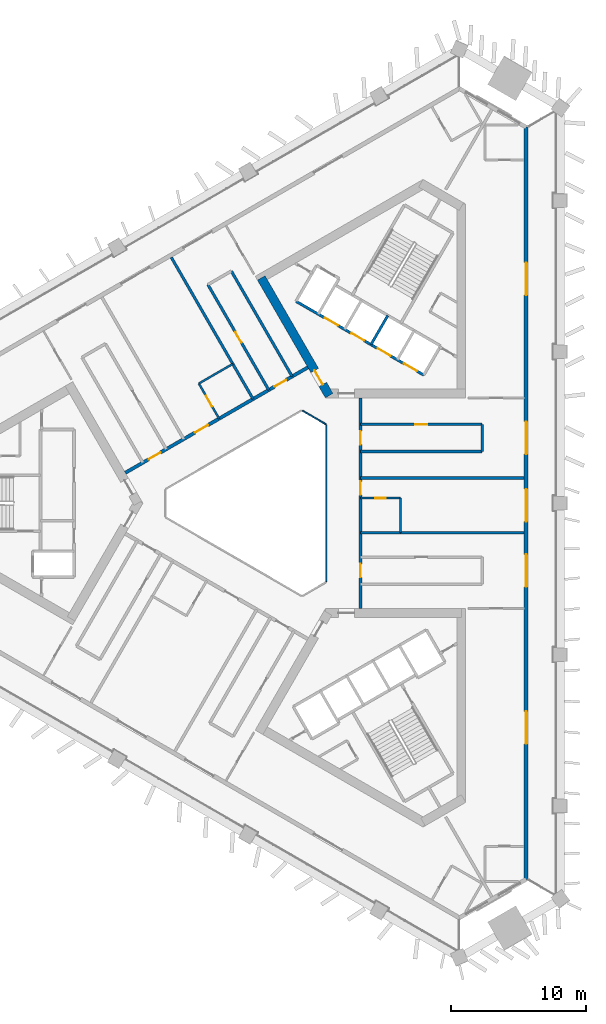
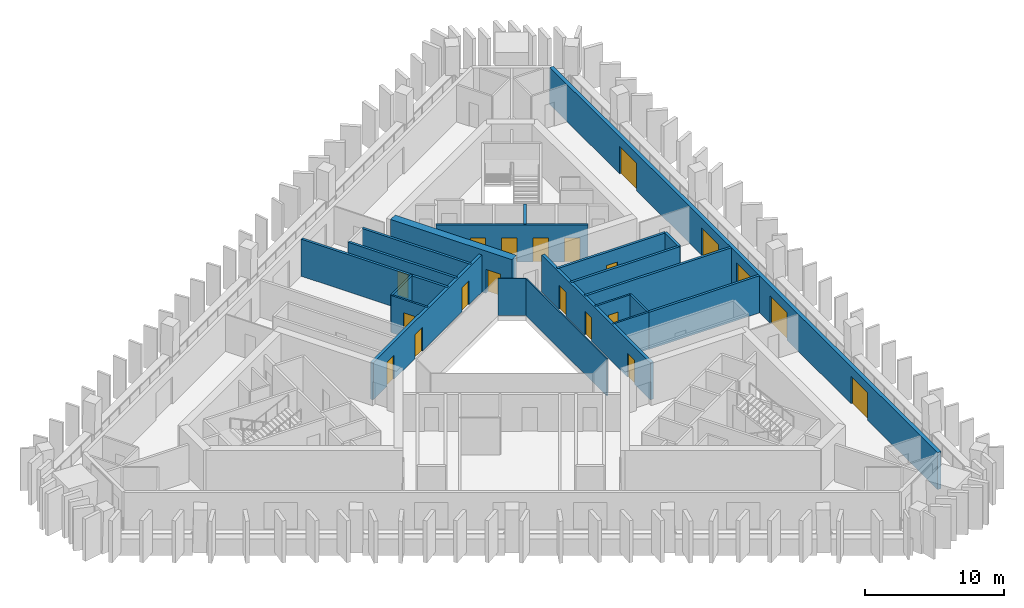
# One storey, part 5 of 10: 21 walls, 20 doors, 20 openings.
"""IFC4 building model written with IfcOpenShell, lengths in metres."""

from ifc_helpers import new_model, si_unit, direction, frame, frame_2d, origin, place, context, subcontext, project, spatial, rectangle, extrude, material, layer, layer_set, type_object, element, fill, save


model = new_model("IFC4")

# Units and contexts
model_context = context("Model", 3, precision=1e-05, world=origin(), true_north=direction((0.0, 1.0)))
body_context = subcontext(model_context, "Body", "Model", "MODEL_VIEW")
ifc_project = project(units=[si_unit("LENGTHUNIT", "METRE"), si_unit("AREAUNIT", "SQUARE_METRE"), si_unit("VOLUMEUNIT", "CUBIC_METRE"), si_unit("PLANEANGLEUNIT", "RADIAN"), si_unit("MASSUNIT", "GRAM", prefix="KILO")], contexts=[model_context])

# Site, building, storey
site_placement = place(None, origin())
site = spatial("IfcSite", under=ifc_project, at=site_placement, CompositionType="ELEMENT")
building_placement = place(site_placement, origin())
building = spatial("IfcBuilding", under=site, at=building_placement, Name="Jabali Bay Hotel Tower and Convention Centre", CompositionType="ELEMENT")
storey_placement = place(building_placement, frame((0.0, 0.0, 136.39990234375)))
storey = spatial("IfcBuildingStorey", under=building, at=storey_placement, Name="L33", CompositionType="ELEMENT", Elevation=136.39990234375)

# Walls
ifc_material_1 = material(Name="Fire-resistant glazing", Category="glass")
ifc_layer_1 = layer(ifc_material_1, 0.10009765625)
ifc_layer_set_1 = layer_set([ifc_layer_1], Name="Fire-resistant glazing")
wall_type_1 = type_object("IfcWallType", Name="Atrium glazed screen 100", PredefinedType="PARTITIONING", material=ifc_layer_set_1)
wall_1_placement = place(storey_placement, frame((79.56005859375, 74.205810546875, 0.0), z_axis=(0.0, 0.0, 1.0), x_axis=(0.0, 1.0, 0.0)))
element("IfcWall", 1, at=wall_1_placement, inside=storey, type_object=wall_type_1, Name="Atrium screen 1 L33", PredefinedType="PARTITIONING", context=body_context, shape_type="SweptSolid", body=[
    extrude(rectangle(XDim=11.58837890625, YDim=0.10009765625, at=frame_2d((5.794189453125, 0.0))), origin(), (0.0, 0.0, 1.0), 3.25),
])
wall_2_placement = place(storey_placement, frame((79.530029296875, 85.84619140625, 0.0), z_axis=(0.0, 0.0, 1.0), x_axis=(-0.866041268327, 0.499972520799, 0.0)))
element("IfcWall", 2, at=wall_2_placement, inside=storey, type_object=wall_type_1, Name="Atrium screen 2 L33", PredefinedType="PARTITIONING", context=body_context, shape_type="SweptSolid", body=[
    extrude(rectangle(XDim=2.0, YDim=0.10009765625, at=frame_2d((1.0, 0.0))), origin(), (0.0, 0.0, 1.0), 3.25),
])
ifc_material_2 = material(Name="Concrete C40", Category="concrete")
ifc_layer_2 = layer(ifc_material_2, 0.199951171875)
ifc_layer_set_2 = layer_set([ifc_layer_2], Name="Concrete C40")
wall_type_2 = type_object("IfcWallType", Name="Core stair wall 200", PredefinedType="SOLIDWALL", material=ifc_layer_set_2)
wall_3_placement = place(storey_placement, frame((82.872802734375, 91.73583984375, 0.0), z_axis=(0.0, 0.0, 1.0), x_axis=(0.499961042966, 0.86604789447, 0.0)))
element("IfcWall", 3, at=wall_3_placement, inside=storey, type_object=wall_type_2, Name="Core wall 1.4 L33", PredefinedType="SOLIDWALL", context=body_context, shape_type="SweptSolid", body=[
    extrude(rectangle(XDim=2.480224609375, YDim=0.199951171875, at=frame_2d((1.240234375, 0.0))), origin(), (0.0, 0.0, 1.0), 3.25),
])

# Wall, openings, doors
wall_4_placement = place(storey_placement, frame((86.769775390625, 89.48583984375, 0.0), z_axis=(0.0, 0.0, 1.0), x_axis=(-0.86601811187, 0.500012629753, 0.0)))
wall_4 = element("IfcWall", 4, at=wall_4_placement, inside=storey, type_object=wall_type_2, Name="Core wall 1.10 L33", PredefinedType="SOLIDWALL", context=body_context, shape_type="SweptSolid", body=[
    extrude(rectangle(XDim=10.900146484375, YDim=0.199951171875, at=frame_2d((5.4501953125, 0.0))), origin(), (0.0, 0.0, 1.0), 3.25),
])
opening_1_placement = place(wall_4_placement, frame((0.574951171875, 0.0, 0.0)))
opening_1 = element("IfcOpeningElement", 5, at=opening_1_placement, cuts=wall_4, Name="Opening LD6-L33", PredefinedType="OPENING", context=body_context, shape_type="SweptSolid", body=[
    extrude(rectangle(XDim=1.10009765625, YDim=2.10009765625, at=frame_2d((0.550048828125, 1.050048828125))), frame((0.0, 0.1103515625, 0.0), z_axis=(0.0, -1.0, 0.0), x_axis=(1.0, 0.0, 0.0)), (0.0, 0.0, 1.0), 0.220947265625),
])
opening_2_placement = place(wall_4_placement, frame((2.824951171875, 0.0, 0.0)))
opening_2 = element("IfcOpeningElement", 6, at=opening_2_placement, cuts=wall_4, Name="Opening LD7-L33", PredefinedType="OPENING", context=body_context, shape_type="SweptSolid", body=[
    extrude(rectangle(XDim=1.10009765625, YDim=2.10009765625, at=frame_2d((0.550048828125, 1.050048828125))), frame((0.0, 0.1103515625, 0.0), z_axis=(0.0, -1.0, 0.0), x_axis=(1.0, 0.0, 0.0)), (0.0, 0.0, 1.0), 0.220947265625),
])
opening_3_placement = place(wall_4_placement, frame((5.074951171875, 0.0, 0.0)))
opening_3 = element("IfcOpeningElement", 7, at=opening_3_placement, cuts=wall_4, Name="Opening LD8-L33", PredefinedType="OPENING", context=body_context, shape_type="SweptSolid", body=[
    extrude(rectangle(XDim=1.10009765625, YDim=2.10009765625, at=frame_2d((0.550048828125, 1.050048828125))), frame((0.0, 0.1103515625, 0.0), z_axis=(0.0, -1.0, 0.0), x_axis=(1.0, 0.0, 0.0)), (0.0, 0.0, 1.0), 0.220947265625),
])
opening_4_placement = place(wall_4_placement, frame((7.324951171875, 0.0, 0.0)))
opening_4 = element("IfcOpeningElement", 8, at=opening_4_placement, cuts=wall_4, Name="Opening LD9-L33", PredefinedType="OPENING", context=body_context, shape_type="SweptSolid", body=[
    extrude(rectangle(XDim=1.10009765625, YDim=2.10009765625, at=frame_2d((0.550048828125, 1.050048828125))), frame((0.0, 0.1103515625, 0.0), z_axis=(0.0, -1.0, 0.0), x_axis=(1.0, 0.0, 0.0)), (0.0, 0.0, 1.0), 0.220947265625),
])
ifc_material_3 = material(Name="Stainless steel landing door", Category="steel")
door_type_1 = type_object("IfcDoorType", Name="Landing door 1100 x 2100", OperationType="NOTDEFINED", PredefinedType="NOTDEFINED", material=ifc_material_3)
door_1_placement = place(opening_1_placement, origin())
door_1 = element("IfcDoor", 9, at=door_1_placement, inside=storey, type_object=door_type_1, Name="Landing doors LD6-L33", OperationType="SLIDING_TO_RIGHT", OverallHeight=2.10009765625, OverallWidth=1.10009765625, PredefinedType="NOTDEFINED", context=body_context, shape_type="SweptSolid", body=[
    extrude(rectangle(XDim=1.10009765625, YDim=2.10009765625, at=frame_2d((0.550048828125, 1.050048828125))), frame((0.0, 0.02490234375, 0.0), z_axis=(0.0, -1.0, 0.0), x_axis=(1.0, 0.0, 0.0)), (0.0, 0.0, 1.0), 0.050048828125),
])
fill(opening_1, door_1)
door_2_placement = place(opening_2_placement, origin())
door_2 = element("IfcDoor", 10, at=door_2_placement, inside=storey, type_object=door_type_1, Name="Landing doors LD7-L33", OperationType="SLIDING_TO_LEFT", OverallHeight=2.10009765625, OverallWidth=1.10009765625, PredefinedType="NOTDEFINED", context=body_context, shape_type="SweptSolid", body=[
    extrude(rectangle(XDim=1.10009765625, YDim=2.10009765625, at=frame_2d((0.550048828125, 1.050048828125))), frame((0.0, 0.02490234375, 0.0), z_axis=(0.0, -1.0, 0.0), x_axis=(1.0, 0.0, 0.0)), (0.0, 0.0, 1.0), 0.050048828125),
])
fill(opening_2, door_2)
door_3_placement = place(opening_3_placement, origin())
door_3 = element("IfcDoor", 11, at=door_3_placement, inside=storey, type_object=door_type_1, Name="Landing doors LD8-L33", OperationType="SLIDING_TO_RIGHT", OverallHeight=2.10009765625, OverallWidth=1.10009765625, PredefinedType="NOTDEFINED", context=body_context, shape_type="SweptSolid", body=[
    extrude(rectangle(XDim=1.10009765625, YDim=2.10009765625, at=frame_2d((0.550048828125, 1.050048828125))), frame((0.0, 0.02490234375, 0.0), z_axis=(0.0, -1.0, 0.0), x_axis=(1.0, 0.0, 0.0)), (0.0, 0.0, 1.0), 0.050048828125),
])
fill(opening_3, door_3)
door_4_placement = place(opening_4_placement, origin())
door_4 = element("IfcDoor", 12, at=door_4_placement, inside=storey, type_object=door_type_1, Name="Landing doors LD9-L33", OperationType="SLIDING_TO_LEFT", OverallHeight=2.10009765625, OverallWidth=1.10009765625, PredefinedType="NOTDEFINED", context=body_context, shape_type="SweptSolid", body=[
    extrude(rectangle(XDim=1.10009765625, YDim=2.10009765625, at=frame_2d((0.550048828125, 1.050048828125))), frame((0.0, 0.02490234375, 0.0), z_axis=(0.0, -1.0, 0.0), x_axis=(1.0, 0.0, 0.0)), (0.0, 0.0, 1.0), 0.050048828125),
])
fill(opening_4, door_4)

# Wall, opening, door
ifc_material_4 = material(Name="Concrete C60", Category="concrete")
ifc_layer_3 = layer(ifc_material_4, 0.64990234375)
ifc_layer_set_3 = layer_set([ifc_layer_3], Name="Concrete C60")
wall_type_3 = type_object("IfcWallType", Name="Core wall 650", PredefinedType="SHEAR", material=ifc_layer_set_3)
wall_5_placement = place(storey_placement, frame((74.75390625, 96.66455078125, 0.0), z_axis=(0.0, 0.0, 1.0), x_axis=(0.500011799426, -0.866018591275, 0.0)))
wall_5 = element("IfcWall", 13, at=wall_5_placement, inside=storey, type_object=wall_type_3, Name="Core wall 2.5 L33", PredefinedType="SHEAR", context=body_context, shape_type="SweptSolid", body=[
    extrude(rectangle(XDim=10.054931640625, YDim=0.64990234375, at=frame_2d((5.02734375, 0.0))), origin(), (0.0, 0.0, 1.0), 3.7001953125),
])
opening_5_placement = place(wall_5_placement, frame((7.905029296875, 0.0, 0.0)))
opening_5 = element("IfcOpeningElement", 14, at=opening_5_placement, cuts=wall_5, Name="Opening D731", PredefinedType="OPENING", context=body_context, shape_type="SweptSolid", body=[
    extrude(rectangle(XDim=1.199951171875, YDim=2.10009765625, at=frame_2d((0.60009765625, 1.050048828125))), frame((0.0, 0.33544921875, 0.0), z_axis=(0.0, -1.0, 0.0), x_axis=(1.0, 0.0, 0.0)), (0.0, 0.0, 1.0), 0.6708984375),
])
ifc_material_5 = material(Name="Fire-rated steel door", Category="steel")
door_type_2 = type_object("IfcDoorType", Name="Corridor end fire door 1200 x 2100", OperationType="NOTDEFINED", PredefinedType="NOTDEFINED", material=ifc_material_5)
door_5_placement = place(opening_5_placement, origin())
door_5 = element("IfcDoor", 15, at=door_5_placement, inside=storey, type_object=door_type_2, Name="Corridor end fire door D731", OperationType="SINGLE_SWING_LEFT", OverallHeight=2.10009765625, OverallWidth=1.199951171875, PredefinedType="NOTDEFINED", context=body_context, shape_type="SweptSolid", body=[
    extrude(rectangle(XDim=1.199951171875, YDim=2.10009765625, at=frame_2d((0.60009765625, 1.050048828125))), frame((0.0, 0.02490234375, 0.0), z_axis=(0.0, -1.0, 0.0), x_axis=(1.0, 0.0, 0.0)), (0.0, 0.0, 1.0), 0.050048828125),
])
fill(opening_5, door_5)

# Wall, openings, doors
ifc_layer_4 = layer(ifc_material_4, 0.25)
ifc_layer_set_4 = layer_set([ifc_layer_4], Name="Concrete C60")
wall_type_4 = type_object("IfcWallType", Name="Corridor wall 250", PredefinedType="SHEAR", material=ifc_layer_set_4)
wall_6_placement = place(storey_placement, frame((82.10009765625, 72.205810546875, 0.0), z_axis=(0.0, 0.0, 1.0), x_axis=(0.0, 1.0, 0.0)))
wall_6 = element("IfcWall", 16, at=wall_6_placement, inside=storey, type_object=wall_type_4, Name="Corridor wall 1 L33", PredefinedType="SHEAR", context=body_context, shape_type="SweptSolid", body=[
    extrude(rectangle(XDim=15.58837890625, YDim=0.25, at=frame_2d((7.794189453125, 0.0))), origin(), (0.0, 0.0, 1.0), 3.25),
])
opening_6_placement = place(wall_6_placement, frame((2.305908203125, 0.0, 0.0)))
opening_6 = element("IfcOpeningElement", 17, at=opening_6_placement, cuts=wall_6, Name="Opening 3301", PredefinedType="OPENING", context=body_context, shape_type="SweptSolid", body=[
    extrude(rectangle(XDim=1.0, YDim=2.10009765625, at=frame_2d((0.5, 1.050048828125))), frame((0.0, 0.135498046875, 0.0), z_axis=(0.0, -1.0, 0.0), x_axis=(1.0, 0.0, 0.0)), (0.0, 0.0, 1.0), 0.27099609375),
])
opening_7_placement = place(wall_6_placement, frame((8.414794921875, 0.0, 0.0)))
opening_7 = element("IfcOpeningElement", 18, at=opening_7_placement, cuts=wall_6, Name="Opening 3306", PredefinedType="OPENING", context=body_context, shape_type="SweptSolid", body=[
    extrude(rectangle(XDim=1.0, YDim=2.10009765625, at=frame_2d((0.5, 1.050048828125))), frame((0.0, 0.135498046875, 0.0), z_axis=(0.0, -1.0, 0.0), x_axis=(1.0, 0.0, 0.0)), (0.0, 0.0, 1.0), 0.27099609375),
])
opening_8_placement = place(wall_6_placement, frame((12.126708984375, 0.0, 0.0)))
opening_8 = element("IfcOpeningElement", 19, at=opening_8_placement, cuts=wall_6, Name="Opening 3307", PredefinedType="OPENING", context=body_context, shape_type="SweptSolid", body=[
    extrude(rectangle(XDim=1.0, YDim=2.10009765625, at=frame_2d((0.5, 1.050048828125))), frame((0.0, 0.135498046875, 0.0), z_axis=(0.0, -1.0, 0.0), x_axis=(1.0, 0.0, 0.0)), (0.0, 0.0, 1.0), 0.27099609375),
])
ifc_material_6 = material(Name="Timber", Category="wood")
door_type_3 = type_object("IfcDoorType", Name="Guest room door 1000 x 2100", OperationType="NOTDEFINED", PredefinedType="NOTDEFINED", material=ifc_material_6)
door_6_placement = place(opening_6_placement, origin())
door_6 = element("IfcDoor", 20, at=door_6_placement, inside=storey, type_object=door_type_3, Name="Door 3301", OperationType="SINGLE_SWING_LEFT", OverallHeight=2.10009765625, OverallWidth=1.0, PredefinedType="NOTDEFINED", context=body_context, shape_type="SweptSolid", body=[
    extrude(rectangle(XDim=1.0, YDim=2.10009765625, at=frame_2d((0.5, 1.050048828125))), frame((0.0, 0.02490234375, 0.0), z_axis=(0.0, -1.0, 0.0), x_axis=(1.0, 0.0, 0.0)), (0.0, 0.0, 1.0), 0.050048828125),
])
fill(opening_6, door_6)
door_7_placement = place(opening_7_placement, origin())
door_7 = element("IfcDoor", 21, at=door_7_placement, inside=storey, type_object=door_type_3, Name="Door 3306", OperationType="SINGLE_SWING_RIGHT", OverallHeight=2.10009765625, OverallWidth=1.0, PredefinedType="NOTDEFINED", context=body_context, shape_type="SweptSolid", body=[
    extrude(rectangle(XDim=1.0, YDim=2.10009765625, at=frame_2d((0.5, 1.050048828125))), frame((0.0, 0.02490234375, 0.0), z_axis=(0.0, -1.0, 0.0), x_axis=(1.0, 0.0, 0.0)), (0.0, 0.0, 1.0), 0.050048828125),
])
fill(opening_7, door_7)
door_8_placement = place(opening_8_placement, origin())
door_8 = element("IfcDoor", 22, at=door_8_placement, inside=storey, type_object=door_type_3, Name="Door 3307", OperationType="SINGLE_SWING_RIGHT", OverallHeight=2.10009765625, OverallWidth=1.0, PredefinedType="NOTDEFINED", context=body_context, shape_type="SweptSolid", body=[
    extrude(rectangle(XDim=1.0, YDim=2.10009765625, at=frame_2d((0.5, 1.050048828125))), frame((0.0, 0.02490234375, 0.0), z_axis=(0.0, -1.0, 0.0), x_axis=(1.0, 0.0, 0.0)), (0.0, 0.0, 1.0), 0.050048828125),
])
fill(opening_8, door_8)

wall_7_placement = place(storey_placement, frame((78.199951171875, 90.0458984375, 0.0), z_axis=(0.0, 0.0, 1.0), x_axis=(-0.866026492143, -0.499998114903, 0.0)))
wall_7 = element("IfcWall", 23, at=wall_7_placement, inside=storey, type_object=wall_type_4, Name="Corridor wall 2 L33", PredefinedType="SHEAR", context=body_context, shape_type="SweptSolid", body=[
    extrude(rectangle(XDim=15.58837890625, YDim=0.25, at=frame_2d((7.794189453125, 0.0))), origin(), (0.0, 0.0, 1.0), 3.25),
])
opening_9_placement = place(wall_7_placement, frame((1.83837890625, 0.0, 0.0)))
opening_9 = element("IfcOpeningElement", 24, at=opening_9_placement, cuts=wall_7, Name="Opening 3311", PredefinedType="OPENING", context=body_context, shape_type="SweptSolid", body=[
    extrude(rectangle(XDim=1.0, YDim=2.10009765625, at=frame_2d((0.5, 1.050048828125))), frame((0.0, 0.135498046875, 0.0), z_axis=(0.0, -1.0, 0.0), x_axis=(1.0, 0.0, 0.0)), (0.0, 0.0, 1.0), 0.27099609375),
])
opening_10_placement = place(wall_7_placement, frame((8.538330078125, 0.0, 0.0)))
opening_10 = element("IfcOpeningElement", 25, at=opening_10_placement, cuts=wall_7, Name="Opening 3316", PredefinedType="OPENING", context=body_context, shape_type="SweptSolid", body=[
    extrude(rectangle(XDim=1.10009765625, YDim=2.10009765625, at=frame_2d((0.550048828125, 1.050048828125))), frame((0.0, 0.135498046875, 0.0), z_axis=(0.0, -1.0, 0.0), x_axis=(1.0, 0.0, 0.0)), (0.0, 0.0, 1.0), 0.27099609375),
])
opening_11_placement = place(wall_7_placement, frame((12.59423828125, 0.0, 0.0)))
opening_11 = element("IfcOpeningElement", 26, at=opening_11_placement, cuts=wall_7, Name="Opening 3317", PredefinedType="OPENING", context=body_context, shape_type="SweptSolid", body=[
    extrude(rectangle(XDim=1.0, YDim=2.10009765625, at=frame_2d((0.5, 1.050048828125))), frame((0.0, 0.135498046875, 0.0), z_axis=(0.0, -1.0, 0.0), x_axis=(1.0, 0.0, 0.0)), (0.0, 0.0, 1.0), 0.27099609375),
])
door_type_4 = type_object("IfcDoorType", Name="Accessible guest room door 1100 x 2100", OperationType="NOTDEFINED", PredefinedType="NOTDEFINED", material=ifc_material_6)
door_9_placement = place(opening_10_placement, origin())
door_9 = element("IfcDoor", 27, at=door_9_placement, inside=storey, type_object=door_type_4, Name="Door 3316", OperationType="SINGLE_SWING_RIGHT", OverallHeight=2.10009765625, OverallWidth=1.10009765625, PredefinedType="NOTDEFINED", context=body_context, shape_type="SweptSolid", body=[
    extrude(rectangle(XDim=1.10009765625, YDim=2.10009765625, at=frame_2d((0.550048828125, 1.050048828125))), frame((0.0, 0.02490234375, 0.0), z_axis=(0.0, -1.0, 0.0), x_axis=(1.0, 0.0, 0.0)), (0.0, 0.0, 1.0), 0.050048828125),
])
fill(opening_10, door_9)
door_10_placement = place(opening_9_placement, origin())
door_10 = element("IfcDoor", 28, at=door_10_placement, inside=storey, type_object=door_type_3, Name="Door 3311", OperationType="SINGLE_SWING_LEFT", OverallHeight=2.10009765625, OverallWidth=1.0, PredefinedType="NOTDEFINED", context=body_context, shape_type="SweptSolid", body=[
    extrude(rectangle(XDim=1.0, YDim=2.10009765625, at=frame_2d((0.5, 1.050048828125))), frame((0.0, 0.02490234375, 0.0), z_axis=(0.0, -1.0, 0.0), x_axis=(1.0, 0.0, 0.0)), (0.0, 0.0, 1.0), 0.050048828125),
])
fill(opening_9, door_10)
door_11_placement = place(opening_11_placement, origin())
door_11 = element("IfcDoor", 29, at=door_11_placement, inside=storey, type_object=door_type_3, Name="Door 3317", OperationType="SINGLE_SWING_RIGHT", OverallHeight=2.10009765625, OverallWidth=1.0, PredefinedType="NOTDEFINED", context=body_context, shape_type="SweptSolid", body=[
    extrude(rectangle(XDim=1.0, YDim=2.10009765625, at=frame_2d((0.5, 1.050048828125))), frame((0.0, 0.02490234375, 0.0), z_axis=(0.0, -1.0, 0.0), x_axis=(1.0, 0.0, 0.0)), (0.0, 0.0, 1.0), 0.050048828125),
])
fill(opening_11, door_11)

ifc_layer_5 = layer(ifc_material_2, 0.300048828125)
ifc_layer_set_5 = layer_set([ifc_layer_5], Name="Concrete C40")
wall_type_5 = type_object("IfcWallType", Name="External wall 300", PredefinedType="SOLIDWALL", material=ifc_layer_set_5)
wall_8_placement = place(storey_placement, frame((94.351806640625, 107.824462890625, 0.0), z_axis=(0.0, 0.0, 1.0), x_axis=(0.0, -1.0, 0.0)))
wall_8 = element("IfcWall", 30, at=wall_8_placement, inside=storey, type_object=wall_type_5, Name="External wall east face L33", PredefinedType="SOLIDWALL", context=body_context, shape_type="SweptSolid", body=[
    extrude(rectangle(XDim=55.64892578125, YDim=0.300048828125, at=frame_2d((27.824462890625, 0.0))), origin(), (0.0, 0.0, 1.0), 3.25),
])
opening_12_placement = place(wall_8_placement, frame((31.61279296875, 0.0, 0.0)))
opening_12 = element("IfcOpeningElement", 31, at=opening_12_placement, cuts=wall_8, Name="Opening SD1", PredefinedType="OPENING", context=body_context, shape_type="SweptSolid", body=[
    extrude(rectangle(XDim=2.39990234375, YDim=2.39990234375, at=frame_2d((1.199951171875, 1.199951171875))), frame((0.0, 0.16064453125, 0.0), z_axis=(0.0, -1.0, 0.0), x_axis=(1.0, 0.0, 0.0)), (0.0, 0.0, 1.0), 0.321044921875),
])
opening_13_placement = place(wall_8_placement, frame((43.2197265625, 0.0, 0.0)))
opening_13 = element("IfcOpeningElement", 32, at=opening_13_placement, cuts=wall_8, Name="Opening SD1", PredefinedType="OPENING", context=body_context, shape_type="SweptSolid", body=[
    extrude(rectangle(XDim=2.39990234375, YDim=2.39990234375, at=frame_2d((1.199951171875, 1.199951171875))), frame((0.0, 0.16064453125, 0.0), z_axis=(0.0, -1.0, 0.0), x_axis=(1.0, 0.0, 0.0)), (0.0, 0.0, 1.0), 0.321044921875),
])
opening_14_placement = place(wall_8_placement, frame((21.792236328125, 0.0, 0.0)))
opening_14 = element("IfcOpeningElement", 33, at=opening_14_placement, cuts=wall_8, Name="Opening SD1", PredefinedType="OPENING", context=body_context, shape_type="SweptSolid", body=[
    extrude(rectangle(XDim=2.39990234375, YDim=2.39990234375, at=frame_2d((1.199951171875, 1.199951171875))), frame((0.0, 0.16064453125, 0.0), z_axis=(0.0, -1.0, 0.0), x_axis=(1.0, 0.0, 0.0)), (0.0, 0.0, 1.0), 0.321044921875),
])
opening_15_placement = place(wall_8_placement, frame((10.021484375, 0.0, 0.0)))
opening_15 = element("IfcOpeningElement", 34, at=opening_15_placement, cuts=wall_8, Name="Opening SD1", PredefinedType="OPENING", context=body_context, shape_type="SweptSolid", body=[
    extrude(rectangle(XDim=2.39990234375, YDim=2.39990234375, at=frame_2d((1.199951171875, 1.199951171875))), frame((0.0, 0.16064453125, 0.0), z_axis=(0.0, -1.0, 0.0), x_axis=(1.0, 0.0, 0.0)), (0.0, 0.0, 1.0), 0.321044921875),
])
opening_16_placement = place(wall_8_placement, frame((26.780517578125, 0.0, 0.0)))
opening_16 = element("IfcOpeningElement", 35, at=opening_16_placement, cuts=wall_8, Name="Opening SD1", PredefinedType="OPENING", context=body_context, shape_type="SweptSolid", body=[
    extrude(rectangle(XDim=2.39990234375, YDim=2.39990234375, at=frame_2d((1.199951171875, 1.199951171875))), frame((0.0, 0.16064453125, 0.0), z_axis=(0.0, -1.0, 0.0), x_axis=(1.0, 0.0, 0.0)), (0.0, 0.0, 1.0), 0.321044921875),
])
ifc_material_7 = material(Name="Glass", Category="glass")
door_type_5 = type_object("IfcDoorType", Name="Loggia sliding door 2400 x 2400", OperationType="NOTDEFINED", PredefinedType="NOTDEFINED", material=ifc_material_7)
door_12_placement = place(opening_12_placement, origin())
door_12 = element("IfcDoor", 36, at=door_12_placement, inside=storey, type_object=door_type_5, Name="Loggia sliding door 3301", OperationType="SLIDING_TO_LEFT", OverallHeight=2.39990234375, OverallWidth=2.39990234375, PredefinedType="NOTDEFINED", context=body_context, shape_type="SweptSolid", body=[
    extrude(rectangle(XDim=2.39990234375, YDim=2.39990234375, at=frame_2d((1.199951171875, 1.199951171875))), frame((0.0, 0.02490234375, 0.0), z_axis=(0.0, -1.0, 0.0), x_axis=(1.0, 0.0, 0.0)), (0.0, 0.0, 1.0), 0.050048828125),
])
fill(opening_12, door_12)
door_13_placement = place(opening_13_placement, origin())
door_13 = element("IfcDoor", 37, at=door_13_placement, inside=storey, type_object=door_type_5, Name="Loggia sliding door 3301", OperationType="SLIDING_TO_RIGHT", OverallHeight=2.39990234375, OverallWidth=2.39990234375, PredefinedType="NOTDEFINED", context=body_context, shape_type="SweptSolid", body=[
    extrude(rectangle(XDim=2.39990234375, YDim=2.39990234375, at=frame_2d((1.199951171875, 1.199951171875))), frame((0.0, 0.02490234375, 0.0), z_axis=(0.0, -1.0, 0.0), x_axis=(1.0, 0.0, 0.0)), (0.0, 0.0, 1.0), 0.050048828125),
])
fill(opening_13, door_13)
door_14_placement = place(opening_14_placement, origin())
door_14 = element("IfcDoor", 38, at=door_14_placement, inside=storey, type_object=door_type_5, Name="Loggia sliding door 3304", OperationType="SLIDING_TO_LEFT", OverallHeight=2.39990234375, OverallWidth=2.39990234375, PredefinedType="NOTDEFINED", context=body_context, shape_type="SweptSolid", body=[
    extrude(rectangle(XDim=2.39990234375, YDim=2.39990234375, at=frame_2d((1.199951171875, 1.199951171875))), frame((0.0, 0.02490234375, 0.0), z_axis=(0.0, -1.0, 0.0), x_axis=(1.0, 0.0, 0.0)), (0.0, 0.0, 1.0), 0.050048828125),
])
fill(opening_14, door_14)
door_15_placement = place(opening_15_placement, origin())
door_15 = element("IfcDoor", 39, at=door_15_placement, inside=storey, type_object=door_type_5, Name="Loggia sliding door 3304", OperationType="SLIDING_TO_RIGHT", OverallHeight=2.39990234375, OverallWidth=2.39990234375, PredefinedType="NOTDEFINED", context=body_context, shape_type="SweptSolid", body=[
    extrude(rectangle(XDim=2.39990234375, YDim=2.39990234375, at=frame_2d((1.199951171875, 1.199951171875))), frame((0.0, 0.02490234375, 0.0), z_axis=(0.0, -1.0, 0.0), x_axis=(1.0, 0.0, 0.0)), (0.0, 0.0, 1.0), 0.050048828125),
])
fill(opening_15, door_15)
door_16_placement = place(opening_16_placement, origin())
door_16 = element("IfcDoor", 40, at=door_16_placement, inside=storey, type_object=door_type_5, Name="Loggia sliding door 3303", OperationType="SLIDING_TO_LEFT", OverallHeight=2.39990234375, OverallWidth=2.39990234375, PredefinedType="NOTDEFINED", context=body_context, shape_type="SweptSolid", body=[
    extrude(rectangle(XDim=2.39990234375, YDim=2.39990234375, at=frame_2d((1.199951171875, 1.199951171875))), frame((0.0, 0.02490234375, 0.0), z_axis=(0.0, -1.0, 0.0), x_axis=(1.0, 0.0, 0.0)), (0.0, 0.0, 1.0), 0.050048828125),
])
fill(opening_16, door_16)

# Wall
ifc_material_8 = material(Name="Plasterboard on steel stud", Category="steel")
ifc_layer_6 = layer(ifc_material_8, 0.14990234375)
ifc_layer_set_6 = layer_set([ifc_layer_6], Name="Plasterboard on steel stud")
wall_type_6 = type_object("IfcWallType", Name="Partition 150 wet", PredefinedType="PARTITIONING", material=ifc_layer_set_6)
wall_9_placement = place(storey_placement, frame((85.053466796875, 77.817626953125, 0.0), z_axis=(0.0, 0.0, 1.0), x_axis=(-1.0, 0.0, 0.0)))
element("IfcWall", 41, at=wall_9_placement, inside=storey, type_object=wall_type_6, Name="Partition P03 L33 006", PredefinedType="PARTITIONING", context=body_context, shape_type="SweptSolid", body=[
    extrude(rectangle(XDim=2.953369140625, YDim=0.14990234375, at=frame_2d((1.4765625, 0.0))), origin(), (0.0, 0.0, 1.0), 3.25),
])

# Wall, opening, door
wall_10_placement = place(storey_placement, frame((82.10009765625, 80.37060546875, 0.0), z_axis=(0.0, 0.0, 1.0), x_axis=(1.0, 0.0, 0.0)))
wall_10 = element("IfcWall", 42, at=wall_10_placement, inside=storey, type_object=wall_type_6, Name="Partition P03 L33 011", PredefinedType="PARTITIONING", context=body_context, shape_type="SweptSolid", body=[
    extrude(rectangle(XDim=2.953369140625, YDim=0.14990234375, at=frame_2d((1.4765625, 0.0))), origin(), (0.0, 0.0, 1.0), 3.25),
])
opening_17_placement = place(wall_10_placement, frame((1.076904296875, 0.0, 0.0)))
opening_17 = element("IfcOpeningElement", 43, at=opening_17_placement, cuts=wall_10, Name="Opening 3305", PredefinedType="OPENING", context=body_context, shape_type="SweptSolid", body=[
    extrude(rectangle(XDim=0.800048828125, YDim=2.10009765625, at=frame_2d((0.39990234375, 1.050048828125))), frame((0.0, 0.08544921875, 0.0), z_axis=(0.0, -1.0, 0.0), x_axis=(1.0, 0.0, 0.0)), (0.0, 0.0, 1.0), 0.1708984375),
])
door_type_6 = type_object("IfcDoorType", Name="En-suite door 800 x 2100", OperationType="NOTDEFINED", PredefinedType="NOTDEFINED", material=ifc_material_6)
door_17_placement = place(opening_17_placement, origin())
door_17 = element("IfcDoor", 44, at=door_17_placement, inside=storey, type_object=door_type_6, Name="Door 3305", OperationType="SINGLE_SWING_RIGHT", OverallHeight=2.10009765625, OverallWidth=0.800048828125, PredefinedType="NOTDEFINED", context=body_context, shape_type="SweptSolid", body=[
    extrude(rectangle(XDim=0.800048828125, YDim=2.10009765625, at=frame_2d((0.39990234375, 1.050048828125))), frame((0.0, 0.02490234375, 0.0), z_axis=(0.0, -1.0, 0.0), x_axis=(1.0, 0.0, 0.0)), (0.0, 0.0, 1.0), 0.050048828125),
])
fill(opening_17, door_17)

# Wall
wall_11_placement = place(storey_placement, frame((85.053466796875, 80.37060546875, 0.0), z_axis=(0.0, 0.0, 1.0), x_axis=(0.0, -1.0, 0.0)))
element("IfcWall", 45, at=wall_11_placement, inside=storey, type_object=wall_type_6, Name="Partition P03 L33 012", PredefinedType="PARTITIONING", context=body_context, shape_type="SweptSolid", body=[
    extrude(rectangle(XDim=2.552978515625, YDim=0.14990234375, at=frame_2d((1.2763671875, 0.0))), origin(), (0.0, 0.0, 1.0), 3.25),
])

# Wall, opening, door
wall_12_placement = place(storey_placement, frame((71.638427734375, 86.257568359375, 0.0), z_axis=(0.0, 0.0, 1.0), x_axis=(-0.499990139034, 0.866031096941, 0.0)))
wall_12 = element("IfcWall", 46, at=wall_12_placement, inside=storey, type_object=wall_type_6, Name="Partition P03 L33 030", PredefinedType="PARTITIONING", context=body_context, shape_type="SweptSolid", body=[
    extrude(rectangle(XDim=3.0, YDim=0.14990234375, at=frame_2d((1.5, 0.0))), origin(), (0.0, 0.0, 1.0), 3.25),
])
opening_18_placement = place(wall_12_placement, frame((1.050048828125, 0.0, 0.0)))
opening_18 = element("IfcOpeningElement", 47, at=opening_18_placement, cuts=wall_12, Name="Opening 3315", PredefinedType="OPENING", context=body_context, shape_type="SweptSolid", body=[
    extrude(rectangle(XDim=0.89990234375, YDim=2.10009765625, at=frame_2d((0.449951171875, 1.050048828125))), frame((0.0, 0.08544921875, 0.0), z_axis=(0.0, -1.0, 0.0), x_axis=(1.0, 0.0, 0.0)), (0.0, 0.0, 1.0), 0.1708984375),
])
door_type_7 = type_object("IfcDoorType", Name="Accessible en-suite door 900 x 2100", OperationType="NOTDEFINED", PredefinedType="NOTDEFINED", material=ifc_material_6)
door_18_placement = place(opening_18_placement, origin())
door_18 = element("IfcDoor", 48, at=door_18_placement, inside=storey, type_object=door_type_7, Name="Door 3315", OperationType="SINGLE_SWING_LEFT", OverallHeight=2.10009765625, OverallWidth=0.89990234375, PredefinedType="NOTDEFINED", context=body_context, shape_type="SweptSolid", body=[
    extrude(rectangle(XDim=0.89990234375, YDim=2.10009765625, at=frame_2d((0.449951171875, 1.050048828125))), frame((0.0, 0.02490234375, 0.0), z_axis=(0.0, -1.0, 0.0), x_axis=(1.0, 0.0, 0.0)), (0.0, 0.0, 1.0), 0.050048828125),
])
fill(opening_18, door_18)

# Walls
wall_13_placement = place(storey_placement, frame((70.138427734375, 88.855712890625, 0.0), z_axis=(0.0, 0.0, 1.0), x_axis=(0.866032775405, 0.499987231761, 0.0)))
element("IfcWall", 49, at=wall_13_placement, inside=storey, type_object=wall_type_6, Name="Partition P03 L33 031", PredefinedType="PARTITIONING", context=body_context, shape_type="SweptSolid", body=[
    extrude(rectangle(XDim=2.89990234375, YDim=0.14990234375, at=frame_2d((1.449951171875, 0.0))), origin(), (0.0, 0.0, 1.0), 3.25),
])
ifc_layer_7 = layer(ifc_material_8, 0.199951171875)
ifc_layer_set_7 = layer_set([ifc_layer_7], Name="Plasterboard on steel stud")
wall_type_7 = type_object("IfcWallType", Name="Partition 200 party", PredefinedType="PARTITIONING", material=ifc_layer_set_7)
wall_14_placement = place(storey_placement, frame((94.202880859375, 77.817626953125, 0.0), z_axis=(0.0, 0.0, 1.0), x_axis=(-1.0, 0.0, 0.0)))
element("IfcWall", 50, at=wall_14_placement, inside=storey, type_object=wall_type_7, Name="Partition P01 L33 005", PredefinedType="PARTITIONING", context=body_context, shape_type="SweptSolid", body=[
    extrude(rectangle(XDim=9.1494140625, YDim=0.199951171875, at=frame_2d((4.57470703125, 0.0))), origin(), (0.0, 0.0, 1.0), 3.25),
])
wall_15_placement = place(storey_placement, frame((94.202880859375, 81.87060546875, 0.0), z_axis=(0.0, 0.0, 1.0), x_axis=(-1.0, 0.0, 0.0)))
element("IfcWall", 51, at=wall_15_placement, inside=storey, type_object=wall_type_7, Name="Partition P01 L33 013", PredefinedType="PARTITIONING", context=body_context, shape_type="SweptSolid", body=[
    extrude(rectangle(XDim=12.102783203125, YDim=0.199951171875, at=frame_2d((6.05126953125, 0.0))), origin(), (0.0, 0.0, 1.0), 3.25),
])

# Wall, opening, door
wall_16_placement = place(storey_placement, frame((82.10009765625, 85.83251953125, 0.0), z_axis=(0.0, 0.0, 1.0), x_axis=(1.0, 0.0, 0.0)))
wall_16 = element("IfcWall", 52, at=wall_16_placement, inside=storey, type_object=wall_type_7, Name="Partition P01 L33 015", PredefinedType="PARTITIONING", context=body_context, shape_type="SweptSolid", body=[
    extrude(rectangle(XDim=9.0, YDim=0.199951171875, at=frame_2d((4.5, 0.0))), origin(), (0.0, 0.0, 1.0), 3.25),
])
opening_19_placement = place(wall_16_placement, frame((4.050048828125, 0.0, 0.0)))
opening_19 = element("IfcOpeningElement", 53, at=opening_19_placement, cuts=wall_16, Name="Opening 3310", PredefinedType="OPENING", context=body_context, shape_type="SweptSolid", body=[
    extrude(rectangle(XDim=0.89990234375, YDim=2.10009765625, at=frame_2d((0.449951171875, 1.050048828125))), frame((0.0, 0.1103515625, 0.0), z_axis=(0.0, -1.0, 0.0), x_axis=(1.0, 0.0, 0.0)), (0.0, 0.0, 1.0), 0.220947265625),
])
door_type_8 = type_object("IfcDoorType", Name="Internal door 900 x 2100", OperationType="NOTDEFINED", PredefinedType="NOTDEFINED", material=ifc_material_6)
door_19_placement = place(opening_19_placement, origin())
door_19 = element("IfcDoor", 54, at=door_19_placement, inside=storey, type_object=door_type_8, Name="Door 3310", OperationType="SINGLE_SWING_RIGHT", OverallHeight=2.10009765625, OverallWidth=0.89990234375, PredefinedType="NOTDEFINED", context=body_context, shape_type="SweptSolid", body=[
    extrude(rectangle(XDim=0.89990234375, YDim=2.10009765625, at=frame_2d((0.449951171875, 1.050048828125))), frame((0.0, 0.02490234375, 0.0), z_axis=(0.0, -1.0, 0.0), x_axis=(1.0, 0.0, 0.0)), (0.0, 0.0, 1.0), 0.050048828125),
])
fill(opening_19, door_19)

# Walls
wall_17_placement = place(storey_placement, frame((91.10009765625, 85.83251953125, 0.0), z_axis=(0.0, 0.0, 1.0), x_axis=(0.0, -1.0, 0.0)))
element("IfcWall", 55, at=wall_17_placement, inside=storey, type_object=wall_type_7, Name="Partition P01 L33 016", PredefinedType="PARTITIONING", context=body_context, shape_type="SweptSolid", body=[
    extrude(rectangle(XDim=2.0, YDim=0.199951171875, at=frame_2d((1.0, 0.0))), origin(), (0.0, 0.0, 1.0), 3.25),
])
wall_18_placement = place(storey_placement, frame((91.10009765625, 83.83251953125, 0.0), z_axis=(0.0, 0.0, 1.0), x_axis=(-1.0, 0.0, 0.0)))
element("IfcWall", 56, at=wall_18_placement, inside=storey, type_object=wall_type_7, Name="Partition P01 L33 017", PredefinedType="PARTITIONING", context=body_context, shape_type="SweptSolid", body=[
    extrude(rectangle(XDim=9.0, YDim=0.199951171875, at=frame_2d((4.5, 0.0))), origin(), (0.0, 0.0, 1.0), 3.25),
])

# Wall, opening, door
wall_19_placement = place(storey_placement, frame((75.30908203125, 88.376708984375, 0.0), z_axis=(0.0, 0.0, 1.0), x_axis=(-0.5000018851, 0.866024315419, 0.0)))
wall_19 = element("IfcWall", 57, at=wall_19_placement, inside=storey, type_object=wall_type_7, Name="Partition P01 L33 023", PredefinedType="PARTITIONING", context=body_context, shape_type="SweptSolid", body=[
    extrude(rectangle(XDim=9.0, YDim=0.199951171875, at=frame_2d((4.5, 0.0))), origin(), (0.0, 0.0, 1.0), 3.25),
])
opening_20_placement = place(wall_19_placement, frame((4.050048828125, 0.0, 0.0)))
opening_20 = element("IfcOpeningElement", 58, at=opening_20_placement, cuts=wall_19, Name="Opening 3314", PredefinedType="OPENING", context=body_context, shape_type="SweptSolid", body=[
    extrude(rectangle(XDim=0.89990234375, YDim=2.10009765625, at=frame_2d((0.449951171875, 1.050048828125))), frame((0.0, 0.1103515625, 0.0), z_axis=(0.0, -1.0, 0.0), x_axis=(1.0, 0.0, 0.0)), (0.0, 0.0, 1.0), 0.220947265625),
])
door_20_placement = place(opening_20_placement, origin())
door_20 = element("IfcDoor", 59, at=door_20_placement, inside=storey, type_object=door_type_8, Name="Door 3314", OperationType="SINGLE_SWING_RIGHT", OverallHeight=2.10009765625, OverallWidth=0.89990234375, PredefinedType="NOTDEFINED", context=body_context, shape_type="SweptSolid", body=[
    extrude(rectangle(XDim=0.89990234375, YDim=2.10009765625, at=frame_2d((0.449951171875, 1.050048828125))), frame((0.0, 0.02490234375, 0.0), z_axis=(0.0, -1.0, 0.0), x_axis=(1.0, 0.0, 0.0)), (0.0, 0.0, 1.0), 0.050048828125),
])
fill(opening_20, door_20)

# Walls
wall_20_placement = place(storey_placement, frame((72.541015625, 97.1708984375, 0.0), z_axis=(0.0, 0.0, 1.0), x_axis=(0.5000018851, -0.866024315419, 0.0)))
element("IfcWall", 60, at=wall_20_placement, inside=storey, type_object=wall_type_7, Name="Partition P01 L33 025", PredefinedType="PARTITIONING", context=body_context, shape_type="SweptSolid", body=[
    extrude(rectangle(XDim=9.0, YDim=0.199951171875, at=frame_2d((4.5, 0.0))), origin(), (0.0, 0.0, 1.0), 3.25),
])
wall_21_placement = place(storey_placement, frame((68.0986328125, 98.18896484375, 0.0), z_axis=(0.0, 0.0, 1.0), x_axis=(0.499987870058, -0.866032406896, 0.0)))
element("IfcWall", 61, at=wall_21_placement, inside=storey, type_object=wall_type_7, Name="Partition P01 L33 026", PredefinedType="PARTITIONING", context=body_context, shape_type="SweptSolid", body=[
    extrude(rectangle(XDim=12.102783203125, YDim=0.199951171875, at=frame_2d((6.05126953125, 0.0))), origin(), (0.0, 0.0, 1.0), 3.25),
])

save(model, "model.ifc")
